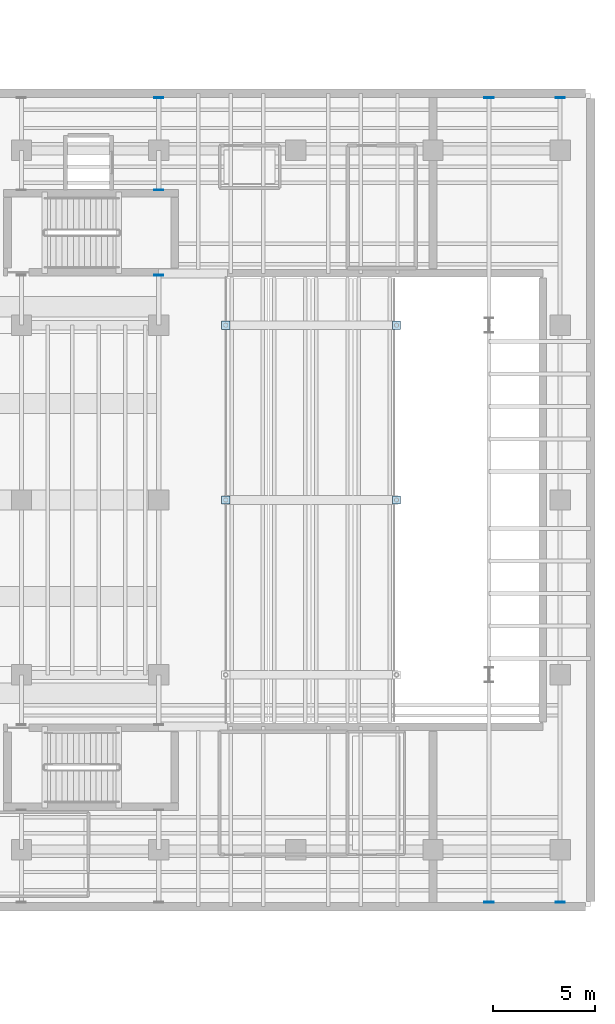
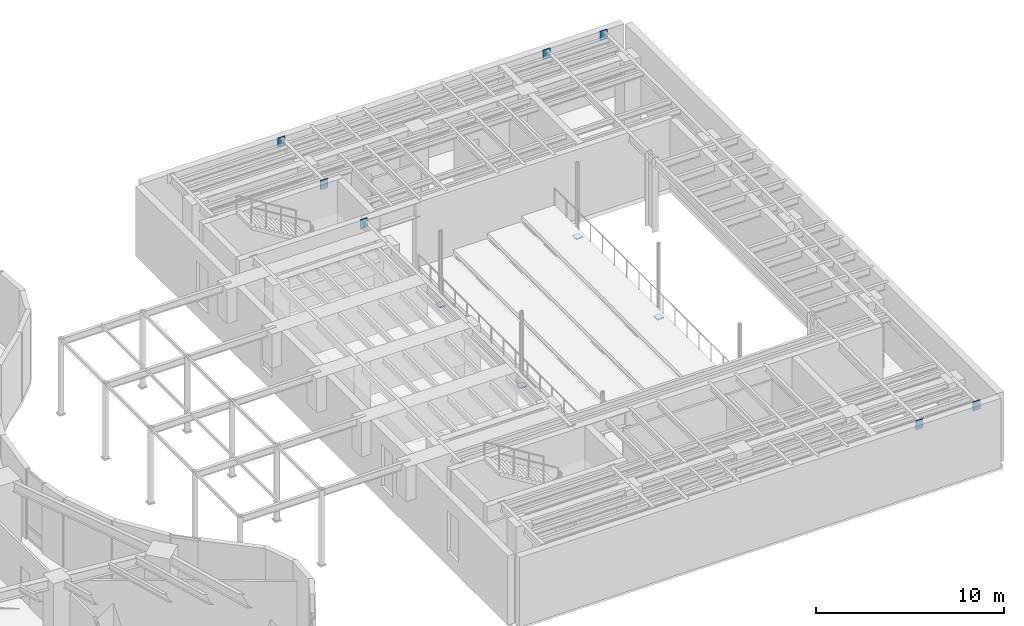
# One storey, part 14 of 24: 11 plates.
"""IFC4 building model written with IfcOpenShell, lengths in metres."""

import ifcopenshell
import ifcopenshell.guid

model = None  # the IFC model being written
_history = None  # IfcOwnerHistory: only IFC2X3 demands one
_inside = {}  # id of a spatial element -> (the spatial element, [elements in it])
_under = {}  # id of a project, library or spatial element -> (it, [spatial elements below it])
_declared = {}  # id of a project -> (the project, [libraries it declares])
_typed = {}  # id of a type object -> (the type object, [elements of that type])
_made_of = {}  # id of a material, layer set ... -> (it, [elements and type objects made of it])


def new_model(schema):
    """Start an empty IFC model of exactly this schema.

    Asked for "IFC4X3", IfcOpenShell would pick the latest addendum, in which some entities
    have other attributes; the version numbers below select the first issue.
    IFC2X3 requires an IfcOwnerHistory on every rooted entity: one is made here for all.
    """
    global model, _history
    if schema == "IFC4X3":
        model = ifcopenshell.file(schema_version=(4, 3, 0, 0))
    else:
        model = ifcopenshell.file(schema=schema)
    _inside.clear()
    _under.clear()
    _declared.clear()
    _typed.clear()
    _made_of.clear()
    _history = None
    if model.schema == "IFC2X3":
        org = make("IfcOrganization", Name="unknown")
        user = make(
            "IfcPersonAndOrganization",
            ThePerson=make("IfcPerson", FamilyName="unknown"),
            TheOrganization=org,
        )
        app = make(
            "IfcApplication",
            ApplicationDeveloper=org,
            Version="unknown",
            ApplicationFullName="unknown",
            ApplicationIdentifier="unknown",
        )
        _history = make(
            "IfcOwnerHistory",
            OwningUser=user,
            OwningApplication=app,
            ChangeAction="ADDED",
            CreationDate=0,
        )
    return model


def make(cls, **values):
    """One entity of the class cls with the attributes given. An attribute that is None is left unset."""
    return model.create_entity(
        cls, **{name: value for name, value in values.items() if value is not None}
    )


def rooted(cls, **values):
    """An entity with a GlobalId (a new one), such as an element, a storey or a relation."""
    return make(cls, GlobalId=ifcopenshell.guid.new(), OwnerHistory=_history, **values)


def si_unit(unit_type, name, prefix=None):
    """IfcSIUnit, for example si_unit("LENGTHUNIT", "METRE", prefix="MILLI")."""
    return make("IfcSIUnit", UnitType=unit_type, Prefix=prefix, Name=name)


def assignment(units):
    """IfcUnitAssignment: the units of a project."""
    return None if units is None else make("IfcUnitAssignment", Units=units)


def point(xyz):
    """IfcCartesianPoint."""
    return None if xyz is None else make("IfcCartesianPoint", Coordinates=xyz)


def direction(xyz):
    """IfcDirection."""
    return None if xyz is None else make("IfcDirection", DirectionRatios=xyz)


def frame(location, z_axis=None, x_axis=None):
    """IfcAxis2Placement3D, a coordinate frame: its origin and axes. An axis left out is left unset."""
    return make(
        "IfcAxis2Placement3D",
        Location=point(location),
        Axis=direction(z_axis),
        RefDirection=direction(x_axis),
    )


def frame_2d(location, x_axis=None):
    """IfcAxis2Placement2D, a coordinate frame in the plane: its origin and x axis."""
    return make(
        "IfcAxis2Placement2D", Location=point(location), RefDirection=direction(x_axis)
    )


def origin():
    """The frame at (0, 0, 0) with its axes left unset."""
    return frame((0.0, 0.0, 0.0))


def origin_2d():
    """The frame at (0, 0) in the plane with its x axis left unset."""
    return frame_2d((0.0, 0.0))


def place(relative_to, where):
    """IfcLocalPlacement: puts the frame where relative to a parent placement (None: the world)."""
    return make(
        "IfcLocalPlacement", PlacementRelTo=relative_to, RelativePlacement=where
    )


def context(
    kind, dimensions, precision=None, world=None, true_north=None, identifier=None
):
    """IfcGeometricRepresentationContext, for example the 3D "Model" context."""
    return make(
        "IfcGeometricRepresentationContext",
        ContextIdentifier=identifier,
        ContextType=kind,
        CoordinateSpaceDimension=dimensions,
        Precision=precision,
        WorldCoordinateSystem=world,
        TrueNorth=true_north,
    )


def subcontext(parent, identifier, kind, view, scale=None):
    """IfcGeometricRepresentationSubContext, for example "Body" below "Model"."""
    return make(
        "IfcGeometricRepresentationSubContext",
        ContextIdentifier=identifier,
        ContextType=kind,
        ParentContext=parent,
        TargetScale=scale,
        TargetView=view,
    )


def project(units=None, contexts=None):
    """IfcProject with its units and contexts."""
    return rooted(
        "IfcProject",
        Name="project",
        RepresentationContexts=contexts,
        UnitsInContext=assignment(units),
    )


def spatial(cls, under=None, at=None, **own):
    """A site, building, storey or space (cls), placed at a placement, below another one or the project."""
    s = rooted(cls, ObjectPlacement=at, **own)
    if under is not None:
        _under.setdefault(under.id(), (under, []))[1].append(s)
    return s


def profile(cls, at=None, kind="AREA", **sizes):
    """A parametric profile (cls). Its sizes go by their IFC names, for example OverallWidth=200.0."""
    return make(cls, ProfileType=kind, Position=at, **sizes)


def rectangle(**sizes):
    """IfcRectangleProfileDef."""
    return profile("IfcRectangleProfileDef", **sizes)


def extrude(swept, where, along, depth):
    """IfcExtrudedAreaSolid: the profile swept, set in the frame where, extruded along a direction by depth."""
    return make(
        "IfcExtrudedAreaSolid",
        SweptArea=swept,
        Position=where,
        ExtrudedDirection=direction(along),
        Depth=depth,
    )


def shape(context_of_items, identifier, shape_type, items):
    """IfcShapeRepresentation: the items that make up one representation, for example the "Body"."""
    return make(
        "IfcShapeRepresentation",
        ContextOfItems=context_of_items,
        RepresentationIdentifier=identifier,
        RepresentationType=shape_type,
        Items=items,
    )


def material(Name=None, Category=None):
    """IfcMaterial."""
    return make("IfcMaterial", Name=Name, Category=Category)


def layer(
    of_material, thickness, ventilated=None, Name=None, Category=None, Priority=None
):
    """IfcMaterialLayer: one layer of a wall or slab, of a material (None: an air gap)."""
    return make(
        "IfcMaterialLayer",
        Material=of_material,
        LayerThickness=thickness,
        IsVentilated=ventilated,
        Name=Name,
        Category=Category,
        Priority=Priority,
    )


def layer_set(layers, Name=None):
    """IfcMaterialLayerSet."""
    return make("IfcMaterialLayerSet", MaterialLayers=layers, LayerSetName=Name)


def made_of(thing, what):
    """Note that an element or type object is made of a material, layer set ...; save() writes the relation."""
    if what is not None:
        _made_of.setdefault(what.id(), (what, []))[1].append(thing)
    return thing


def type_object(cls, material=None, **own):
    """A type object (cls), such as IfcWallType, which elements share."""
    return made_of(rooted(cls, **own), material)


def element(
    cls,
    number,
    at=None,
    inside=None,
    cuts=None,
    type_object=None,
    material=None,
    context=None,
    identifier="Body",
    shape_type=None,
    held_by="IfcProductDefinitionShape",
    body=None,
    shapes=None,
    **own,
):
    """One element of the class cls, such as IfcWall. Its Tag is "e" and its number.

    at: its placement. inside: the storey or other place that contains it. cuts: it is an
    opening in that element (IfcRelVoidsElement). A single representation is given by context,
    identifier, shape_type and body (its items); several are given by shapes. held_by: the class
    of the entity that holds the representations. save() writes the other relations.
    """
    e = rooted(cls, Tag="e%d" % number, ObjectPlacement=at, **own)
    if body is not None:
        shapes = [shape(context, identifier, shape_type, body)]
    if shapes is not None:
        e.Representation = make(held_by, Representations=shapes)
    if inside is not None:
        _inside.setdefault(inside.id(), (inside, []))[1].append(e)
    if cuts is not None:
        rooted(
            "IfcRelVoidsElement", RelatingBuildingElement=cuts, RelatedOpeningElement=e
        )
    if type_object is not None:
        _typed.setdefault(type_object.id(), (type_object, []))[1].append(e)
    return made_of(e, material)


def aggregate(whole, parts):
    """IfcRelAggregates: a whole, such as a stair, and the parts it consists of."""
    return rooted("IfcRelAggregates", RelatingObject=whole, RelatedObjects=parts)


def save(model, path):
    """Write the relations noted so far, then the file.

    IfcRelAggregates (storeys below a building ...), IfcRelContainedInSpatialStructure (elements
    in a storey), IfcRelDefinesByType, IfcRelAssociatesMaterial and IfcRelDeclares: one each for
    every whole, place, type object, material and project.
    """
    for whole, parts in _under.values():
        aggregate(whole, parts)
    for where, things in _inside.values():
        rooted(
            "IfcRelContainedInSpatialStructure",
            RelatedElements=things,
            RelatingStructure=where,
        )
    for kind, things in _typed.values():
        rooted("IfcRelDefinesByType", RelatedObjects=things, RelatingType=kind)
    for what, things in _made_of.values():
        rooted("IfcRelAssociatesMaterial", RelatedObjects=things, RelatingMaterial=what)
    for by, libraries in _declared.values():
        rooted("IfcRelDeclares", RelatingContext=by, RelatedDefinitions=libraries)
    model.write(path)


model = new_model("IFC4")

# Units and contexts
model_context = context("Model", 3, precision=1e-05, world=origin(), true_north=direction((0.0, 1.0)))
body_context = subcontext(model_context, "Body", "Model", "MODEL_VIEW")
ifc_project = project(units=[si_unit("LENGTHUNIT", "METRE"), si_unit("AREAUNIT", "SQUARE_METRE"), si_unit("VOLUMEUNIT", "CUBIC_METRE"), si_unit("PLANEANGLEUNIT", "RADIAN"), si_unit("MASSUNIT", "GRAM", prefix="KILO")], contexts=[model_context])

# Site, building, storey
site_placement = place(None, origin())
site = spatial("IfcSite", under=ifc_project, at=site_placement, CompositionType="ELEMENT")
building_placement = place(site_placement, origin())
building = spatial("IfcBuilding", under=site, at=building_placement, Name="Korentha Bioscience Tower", CompositionType="ELEMENT")
storey_placement = place(building_placement, frame((0.0, 0.0, 5.39990234375)))
storey = spatial("IfcBuildingStorey", under=building, at=storey_placement, Name="L01", CompositionType="ELEMENT", Elevation=5.39990234375)

# Plates
ifc_material = material(Name="Steel S355", Category="steel")
ifc_layer_1 = layer(ifc_material, 0.0400390625, Name="Steel S355")
ifc_layer_set_1 = layer_set([ifc_layer_1], Name="Steel S355 (EP-01)")
plate_type_1 = type_object("IfcPlateType", Name="Cast-In Shear Wall Embed Plate 450x600x40", PredefinedType="USERDEFINED", material=ifc_layer_set_1)
for number, where, z_axis, x_axis, name in (
    (1, (73.25, 38.050048828125, 3.93359375), (0.0, 0.0, 1.0), (1.0, 0.0, 0.0), "L01 Collector Shear-Wall Embed Plate B-2-6"),
    (2, (73.25, 42.25, 3.93359375), (0.0, 0.0, 1.0), (1.0, 0.0, 0.0), "L01 Collector Shear-Wall Embed Plate A-2-7"),
    (3, (73.25, 46.7900390625, 3.93359375), (0.0, 0.0, 1.0), (1.0, 0.0, 0.0), "L01 Collector Shear-Wall Embed Plate B-2-8"),
    (4, (89.5, 7.2099609375, 3.93359375), (0.0, 0.0, 1.0), (1.0, 0.0, 0.0), "L01 Collector Shear-Wall Embed Plate A-3-1"),
    (5, (89.5, 46.7900390625, 3.93359375), (0.0, 0.0, 1.0), (1.0, 0.0, 0.0), "L01 Collector Shear-Wall Embed Plate B-3-3"),
    (6, (93.0, 7.2099609375, 3.93359375), (0.0, 0.0, 1.0), (1.0, 0.0, 0.0), "L01 Collector Shear-Wall Embed Plate A-4-1"),
    (7, (93.0, 46.7900390625, 3.93359375), (0.0, 0.0, 1.0), (1.0, 0.0, 0.0), "L01 Collector Shear-Wall Embed Plate B-4-6"),
):
    element("IfcPlate", number, at=place(storey_placement, frame(where, z_axis=z_axis, x_axis=x_axis)), inside=storey, type_object=plate_type_1, Name=name, ObjectType="BASE_PLATE", PredefinedType="USERDEFINED", context=body_context, shape_type="SweptSolid", body=[
        extrude(rectangle(XDim=0.449951171875, YDim=0.0400390625, at=origin_2d()), origin(), (0.0, 0.0, 1.0), 0.60009765625),
    ])
ifc_layer_2 = layer(ifc_material, 0.080078125, Name="Steel S355")
ifc_layer_set_2 = layer_set([ifc_layer_2], Name="Steel S355 (CP-02)")
plate_type_2 = type_object("IfcPlateType", Name="Hollow Section End Cap Plate 400x400x80", PredefinedType="USERDEFINED", material=ifc_layer_set_2)
for number, where, z_axis, x_axis, name in (
    (8, (84.949951171875, 27.0, 0.72705078125), (0.0, 0.0, 1.0), (1.0, 0.0, 0.0), "L01 Raker Post Cap E-27"),
    (9, (76.550048828125, 27.0, -0.764892578125), (0.0, 0.0, 1.0), (1.0, 0.0, 0.0), "L01 Raker Post Cap W-27"),
    (10, (84.949951171875, 35.60009765625, 0.72705078125), (0.0, 0.0, 1.0), (1.0, 0.0, 0.0), "L01 Raker Post Cap E-35"),
    (11, (76.550048828125, 35.60009765625, -0.764892578125), (0.0, 0.0, 1.0), (1.0, 0.0, 0.0), "L01 Raker Post Cap W-35"),
):
    element("IfcPlate", number, at=place(storey_placement, frame(where, z_axis=z_axis, x_axis=x_axis)), inside=storey, type_object=plate_type_2, Name=name, ObjectType="CAP_PLATE", PredefinedType="USERDEFINED", context=body_context, shape_type="SweptSolid", body=[
        extrude(rectangle(XDim=0.39990234375, YDim=0.39990234375, at=origin_2d()), origin(), (0.0, 0.0, 1.0), 0.080078125),
    ])

save(model, "model.ifc")
